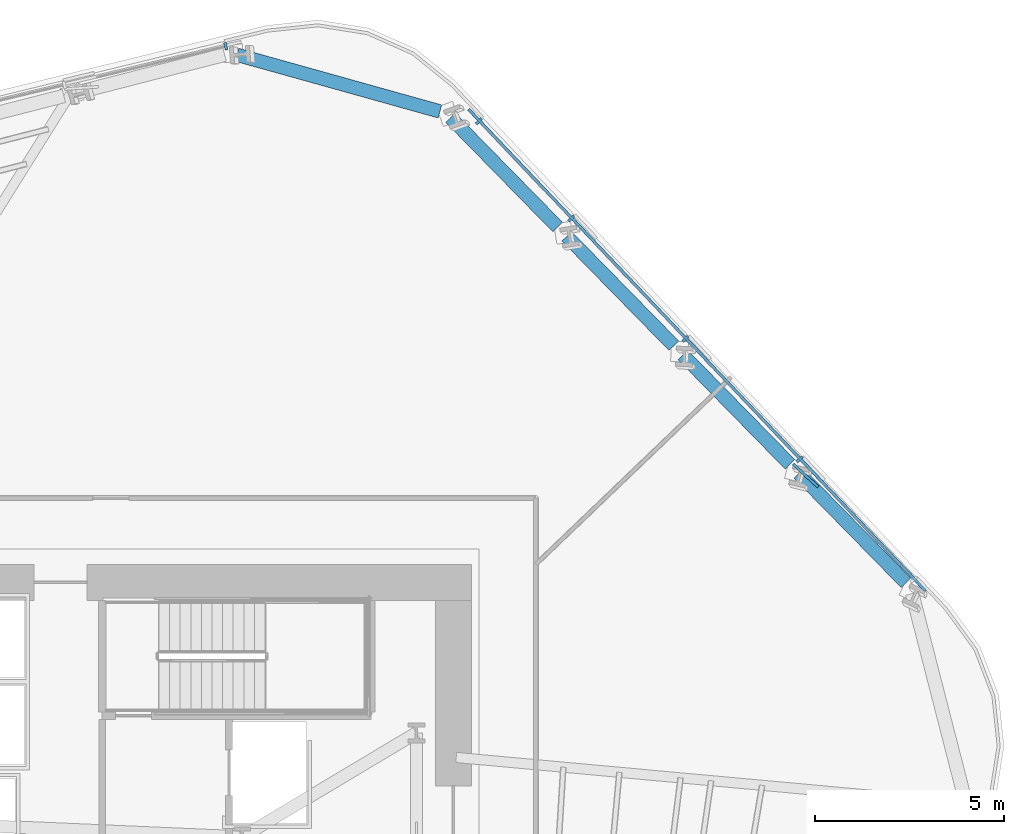
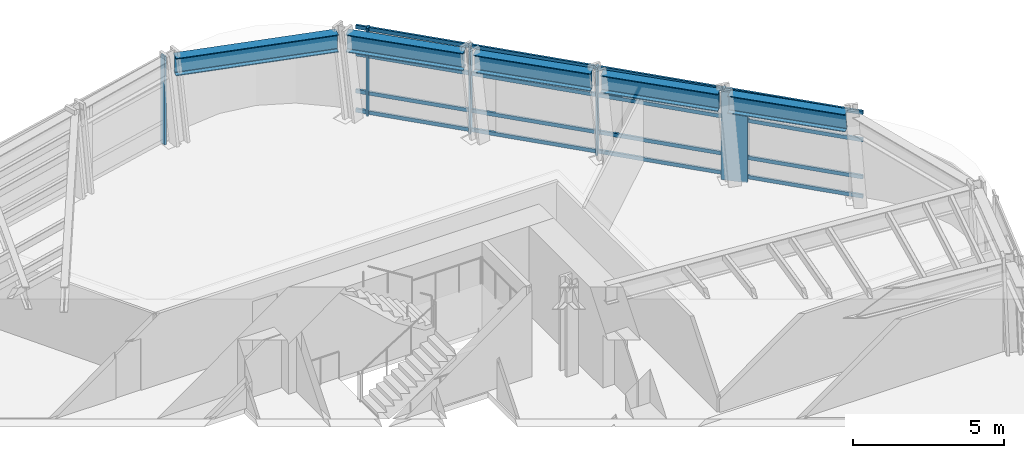
# One storey, part 7 of 17: 10 members, 5 beams, 2 elements without a shape of their own.
"""IFC4 building model written with IfcOpenShell, lengths in metres."""

from ifc_helpers import new_model, si_unit, direction, frame, origin, origin_2d, place, context, subcontext, project, spatial, rectangle, i_section, extrude, material, layer, layer_set, material_profile, profile_set, type_object, element, aggregate, save


model = new_model("IFC4")

# Units and contexts
model_context = context("Model", 3, precision=1e-05, world=origin(), true_north=direction((0.0, 1.0)))
body_context = subcontext(model_context, "Body", "Model", "MODEL_VIEW")
ifc_project = project(units=[si_unit("LENGTHUNIT", "METRE"), si_unit("AREAUNIT", "SQUARE_METRE"), si_unit("VOLUMEUNIT", "CUBIC_METRE"), si_unit("PLANEANGLEUNIT", "RADIAN"), si_unit("MASSUNIT", "GRAM", prefix="KILO")], contexts=[model_context])

# Site, building, storey
site_placement = place(None, origin())
site = spatial("IfcSite", under=ifc_project, at=site_placement, CompositionType="ELEMENT")
building_placement = place(site_placement, origin())
building = spatial("IfcBuilding", under=site, at=building_placement, Name="Valkerne Bourse Tower", CompositionType="ELEMENT")
storey_placement = place(building_placement, frame((0.0, 0.0, 82.0)))
storey = spatial("IfcBuildingStorey", under=building, at=storey_placement, Name="L20", CompositionType="ELEMENT", Elevation=82.0)

# Beams
ifc_material_1 = material(Name="Steel ASTM A992", Category="steel")
ifc_material_profile_1 = material_profile(ifc_material_1, i_section(OverallWidth=0.358154296875, OverallDepth=0.7060546875, WebThickness=0.018310546875, FlangeThickness=0.0302734375, FilletRadius=0.02294921875, at=origin_2d()), Name="W27X178")
ifc_profile_set_1 = profile_set([ifc_material_profile_1], Name="Steel ASTM A992")
beam_type = type_object("IfcBeamType", Name="BM-W27X178", PredefinedType="SPANDREL", material=ifc_profile_set_1)
beam_1_placement = place(storey_placement, frame((67.880859375, 35.61279296875, 3.22705078125), z_axis=(-0.699701218716, 0.714435584589, 0.0), x_axis=(-0.714435584589, -0.699701218716, 0.0)))
element("IfcBeam", 1, at=beam_1_placement, inside=storey, type_object=beam_type, Name="L20 Hexagonal Spandrel Ring Beam 00", PredefinedType="SPANDREL", context=body_context, shape_type="SweptSolid", body=[
    extrude(i_section(OverallWidth=0.358154296875, OverallDepth=0.7060546875, WebThickness=0.018310546875, FlangeThickness=0.0302734375, FilletRadius=0.02294921875, at=origin_2d()), origin(), (0.0, 0.0, 1.0), 4.04296875),
])
beam_2_placement = place(storey_placement, frame((64.814208984375, 38.744384765625, 3.22705078125), z_axis=(-0.699670394269, 0.714465772017, 0.0), x_axis=(-0.714465772017, -0.699670394269, 0.0)))
element("IfcBeam", 2, at=beam_2_placement, inside=storey, type_object=beam_type, Name="L20 Hexagonal Spandrel Ring Beam 01", PredefinedType="SPANDREL", context=body_context, shape_type="SweptSolid", body=[
    extrude(i_section(OverallWidth=0.358154296875, OverallDepth=0.7060546875, WebThickness=0.018310546875, FlangeThickness=0.0302734375, FilletRadius=0.02294921875, at=origin_2d()), origin(), (0.0, 0.0, 1.0), 4.042724609375),
])
for number, where, z_axis, x_axis, name in (
    (3, (61.747802734375, 41.875732421875, 3.22705078125), (-0.699671032576, 0.714465146927, 0.0), (-0.714465146927, -0.699671032576, 0.0), "L20 Hexagonal Spandrel Ring Beam 02"),
    (4, (58.68115234375, 45.00732421875, 3.22705078125), (-0.699671032576, 0.714465146927, 0.0), (-0.714465146927, -0.699671032576, 0.0), "L20 Hexagonal Spandrel Ring Beam 03"),
):
    element("IfcBeam", number, at=place(storey_placement, frame(where, z_axis=z_axis, x_axis=x_axis)), inside=storey, type_object=beam_type, Name=name, PredefinedType="SPANDREL", context=body_context, shape_type="SweptSolid", body=[
        extrude(i_section(OverallWidth=0.358154296875, OverallDepth=0.7060546875, WebThickness=0.018310546875, FlangeThickness=0.0302734375, FilletRadius=0.02294921875, at=origin_2d()), origin(), (0.0, 0.0, 1.0), 4.043212890625),
    ])
beam_3_placement = place(storey_placement, frame((55.569580078125, 48.06298828125, 3.22705078125), z_axis=(-0.963155608775, 0.268944740208, 0.0), x_axis=(-0.268944740208, -0.963155608775, 0.0)))
element("IfcBeam", 5, at=beam_3_placement, inside=storey, type_object=beam_type, Name="L20 Hexagonal Spandrel Ring Beam 04", PredefinedType="SPANDREL", context=body_context, shape_type="SweptSolid", body=[
    extrude(i_section(OverallWidth=0.358154296875, OverallDepth=0.7060546875, WebThickness=0.018310546875, FlangeThickness=0.0302734375, FilletRadius=0.02294921875, at=origin_2d()), origin(), (0.0, 0.0, 1.0), 5.564697265625),
])

# Curtain wall, members
ifc_material_2 = material(Name="Aluminium AA 6063-T6", Category="aluminium")
ifc_layer = layer(ifc_material_2, 0.22998046875)
ifc_layer_set = layer_set([ifc_layer], Name="Aluminium AA 6063-T6")
curtain_wall_type = type_object("IfcCurtainWallType", Name="CW-02", PredefinedType="NOTDEFINED", material=ifc_layer_set)
curtain_wall_1_placement = place(storey_placement, origin())
curtain_wall_1 = element("IfcCurtainWall", 6, at=curtain_wall_1_placement, inside=storey, type_object=curtain_wall_type, Name="L20 Hexagonal Stick Curtain Wall Face 1", PredefinedType="NOTDEFINED")
ifc_material_profile_2 = material_profile(ifc_material_2, rectangle(XDim=0.074951171875, YDim=0.199951171875, at=origin_2d()), Name="CWM-75X200")
ifc_profile_set_2 = profile_set([ifc_material_profile_2], Name="Aluminium AA 6063-T6")
member_type_1 = type_object("IfcMemberType", Name="CW-MUL-220X75", PredefinedType="MULLION", material=ifc_profile_set_2)
member_1_placement = place(storey_placement, frame((65.071044921875, 38.875244140625, 0.0), z_axis=(0.0, 0.0, 1.0), x_axis=(-0.688349407934, 0.725379274998, 0.0)))
member_1 = element("IfcMember", 7, at=member_1_placement, type_object=member_type_1, Name="CW-L20-F1 Jamb Mullion 01A", PredefinedType="MULLION", context=body_context, shape_type="SweptSolid", body=[
    extrude(rectangle(XDim=0.074951171875, YDim=0.199951171875, at=origin_2d()), origin(), (0.0, 0.0, 1.0), 3.580078125),
])
member_2_placement = place(storey_placement, frame((62.053955078125, 42.054443359375, 0.0), z_axis=(0.0, 0.0, 1.0), x_axis=(-0.6883614127, 0.725367882874, 0.0)))
member_2 = element("IfcMember", 8, at=member_2_placement, type_object=member_type_1, Name="CW-L20-F1 Jamb Mullion 02A", PredefinedType="MULLION", context=body_context, shape_type="SweptSolid", body=[
    extrude(rectangle(XDim=0.074951171875, YDim=0.199951171875, at=origin_2d()), origin(), (0.0, 0.0, 1.0), 3.580078125),
])
member_3_placement = place(storey_placement, frame((59.036865234375, 45.23388671875, 0.0), z_axis=(0.0, 0.0, 1.0), x_axis=(-0.688338015833, 0.725390085374, 0.0)))
member_3 = element("IfcMember", 9, at=member_3_placement, type_object=member_type_1, Name="CW-L20-F1 Jamb Mullion 03A", PredefinedType="MULLION", context=body_context, shape_type="SweptSolid", body=[
    extrude(rectangle(XDim=0.074951171875, YDim=0.199951171875, at=origin_2d()), origin(), (0.0, 0.0, 1.0), 3.580078125),
])
member_4_placement = place(storey_placement, frame((56.59814453125, 47.803955078125, 0.0), z_axis=(0.0, 0.0, 1.0), x_axis=(-0.688338015833, 0.725390085374, 0.0)))
member_4 = element("IfcMember", 10, at=member_4_placement, type_object=member_type_1, Name="CW-L20-F1 Jamb Mullion 03B", PredefinedType="MULLION", context=body_context, shape_type="SweptSolid", body=[
    extrude(rectangle(XDim=0.074951171875, YDim=0.199951171875, at=origin_2d()), origin(), (0.0, 0.0, 1.0), 3.580078125),
])

# Curtain wall, member
curtain_wall_2_placement = place(storey_placement, origin())
curtain_wall_2 = element("IfcCurtainWall", 11, at=curtain_wall_2_placement, inside=storey, type_object=curtain_wall_type, Name="L20 Hexagonal Stick Curtain Wall Face 2", PredefinedType="NOTDEFINED")
member_5_placement = place(storey_placement, frame((49.9130859375, 49.783935546875, 0.0), z_axis=(0.0, 0.0, 1.0), x_axis=(-0.972374667452, -0.233425590066, 0.0)))
member_5 = element("IfcMember", 12, at=member_5_placement, type_object=member_type_1, Name="CW-L20-F2 Jamb Mullion 00A", PredefinedType="MULLION", context=body_context, shape_type="SweptSolid", body=[
    extrude(rectangle(XDim=0.074951171875, YDim=0.199951171875, at=origin_2d()), origin(), (0.0, 0.0, 1.0), 3.580078125),
])
aggregate(curtain_wall_2, [member_5])

# Member
ifc_material_profile_3 = material_profile(ifc_material_2, rectangle(XDim=0.074951171875, YDim=0.14990234375, at=origin_2d()), Name="CWT-75X150")
ifc_profile_set_3 = profile_set([ifc_material_profile_3], Name="Aluminium AA 6063-T6")
member_type_2 = type_object("IfcMemberType", Name="CW-TRN-180X65", PredefinedType="USERDEFINED", material=ifc_profile_set_3)
member_6_placement = place(storey_placement, frame((68.3916015625, 35.405029296875, 0.1201171875), z_axis=(-0.688350441122, 0.725378294552, 0.0), x_axis=(-0.725378294552, -0.688350441122, 0.0)))
member_6 = element("IfcMember", 13, at=member_6_placement, type_object=member_type_2, Name="CW-L20-F1 Continuous Face Transom 1", ObjectType="TRANSOM", PredefinedType="USERDEFINED", context=body_context, shape_type="SweptSolid", body=[
    extrude(rectangle(XDim=0.074951171875, YDim=0.14990234375, at=origin_2d()), origin(), (0.0, 0.0, 1.0), 17.531982421875),
])

member_7_placement = place(storey_placement, frame((68.3916015625, 35.405029296875, 0.89990234375), z_axis=(-0.688350441122, 0.725378294552, 0.0), x_axis=(-0.725378294552, -0.688350441122, 0.0)))
member_7 = element("IfcMember", 14, at=member_7_placement, type_object=member_type_2, Name="CW-L20-F1 Continuous Face Transom 2", ObjectType="TRANSOM", PredefinedType="USERDEFINED", context=body_context, shape_type="SweptSolid", body=[
    extrude(rectangle(XDim=0.074951171875, YDim=0.14990234375, at=origin_2d()), origin(), (0.0, 0.0, 1.0), 17.531982421875),
])

member_8_placement = place(storey_placement, frame((68.3916015625, 35.405029296875, 2.39990234375), z_axis=(-0.688350441122, 0.725378294552, 0.0), x_axis=(-0.725378294552, -0.688350441122, 0.0)))
member_8 = element("IfcMember", 15, at=member_8_placement, type_object=member_type_2, Name="CW-L20-F1 Continuous Face Transom 3", ObjectType="TRANSOM", PredefinedType="USERDEFINED", context=body_context, shape_type="SweptSolid", body=[
    extrude(rectangle(XDim=0.074951171875, YDim=0.14990234375, at=origin_2d()), origin(), (0.0, 0.0, 1.0), 17.531982421875),
])

member_9_placement = place(storey_placement, frame((68.3916015625, 35.405029296875, 3.5), z_axis=(-0.688350441122, 0.725378294552, 0.0), x_axis=(-0.725378294552, -0.688350441122, 0.0)))
member_9 = element("IfcMember", 16, at=member_9_placement, type_object=member_type_2, Name="CW-L20-F1 Continuous Face Transom 4", ObjectType="TRANSOM", PredefinedType="USERDEFINED", context=body_context, shape_type="SweptSolid", body=[
    extrude(rectangle(XDim=0.074951171875, YDim=0.14990234375, at=origin_2d()), origin(), (0.0, 0.0, 1.0), 17.531982421875),
])

aggregate(curtain_wall_1, [member_6, member_7, member_8, member_9, member_1, member_2, member_3, member_4])

ifc_material_3 = material(Name="Bronze Anodised Aluminium AA 6063-T6", Category="aluminium")
ifc_material_profile_4 = material_profile(ifc_material_3, rectangle(XDim=0.070068359375, YDim=0.89990234375, at=origin_2d()), Name="FIN-70X900")
ifc_profile_set_4 = profile_set([ifc_material_profile_4], Name="Bronze Anodised Aluminium AA 6063-T6")
member_type_3 = type_object("IfcMemberType", Name="FIN-SOLAR-900", PredefinedType="USERDEFINED", material=ifc_profile_set_4)
member_10_placement = place(storey_placement, frame((65.2294921875, 38.446533203125, 0.00390625), z_axis=(0.0, 0.0, 1.0), x_axis=(0.675900235456, 0.736993128672, 0.0)))
element("IfcMember", 17, at=member_10_placement, inside=storey, type_object=member_type_3, Name="L20 Bronze Anodised Solar Fin F1-01", ObjectType="SOLAR_FIN", PredefinedType="USERDEFINED", context=body_context, shape_type="SweptSolid", body=[
    extrude(rectangle(XDim=0.070068359375, YDim=0.89990234375, at=origin_2d()), origin(), (0.0, 0.0, 1.0), 3.572021484375),
])

save(model, "model.ifc")
